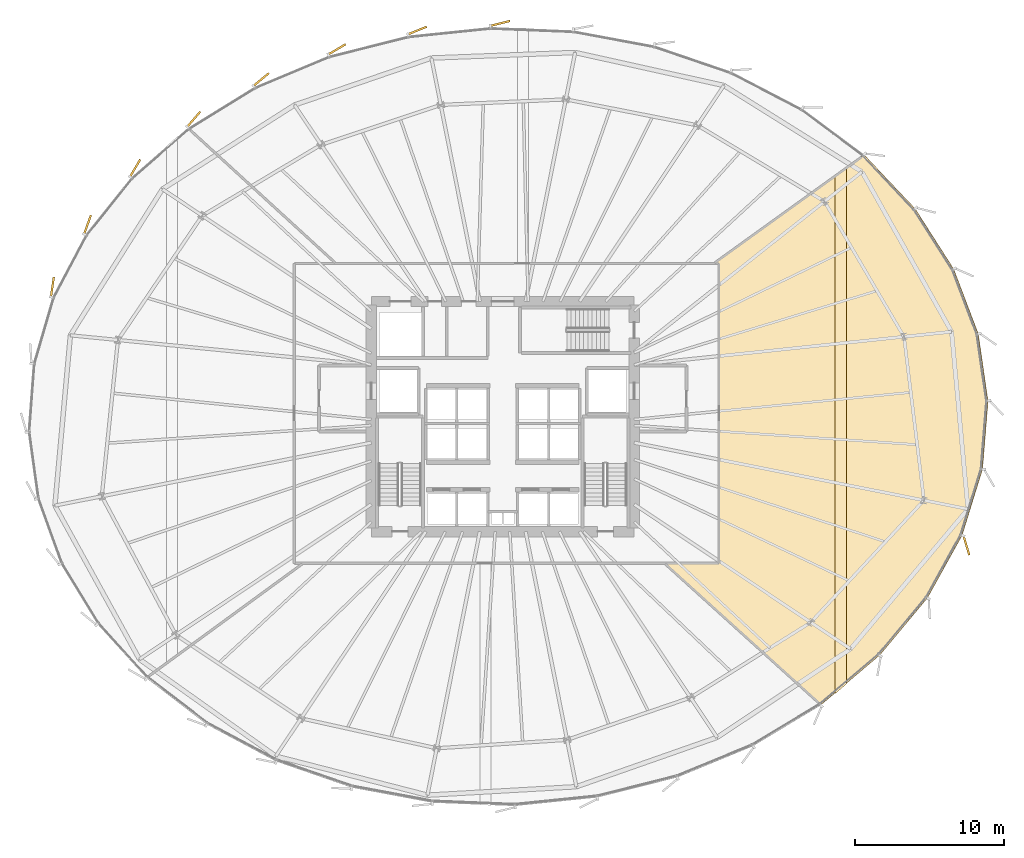
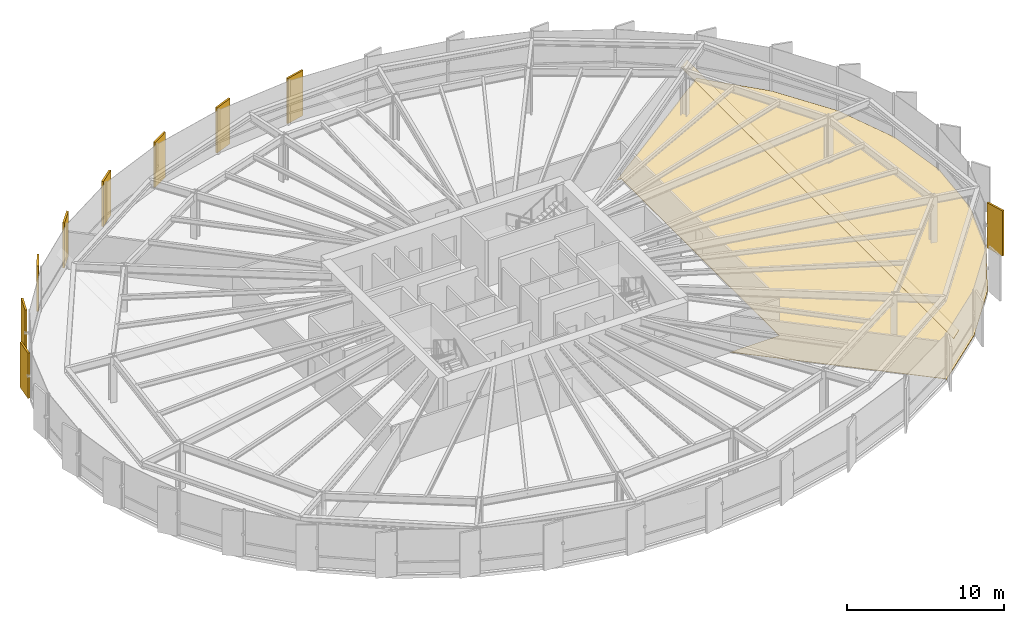
# One storey, part 40 of 42: 11 coverings.
"""IFC4 building model written with IfcOpenShell, lengths in metres."""

from ifc_helpers import new_model, si_unit, direction, frame, origin, origin_2d, place, context, subcontext, project, spatial, polyline, rectangle, outline, extrude, source, transform, mapped, material, layer, layer_set, type_object, element, save


model = new_model("IFC4")

# Units and contexts
model_context = context("Model", 3, precision=1e-05, world=origin(), true_north=direction((0.0, 1.0)))
body_context = subcontext(model_context, "Body", "Model", "MODEL_VIEW")
ifc_project = project(units=[si_unit("LENGTHUNIT", "METRE"), si_unit("AREAUNIT", "SQUARE_METRE"), si_unit("VOLUMEUNIT", "CUBIC_METRE"), si_unit("PLANEANGLEUNIT", "RADIAN"), si_unit("MASSUNIT", "GRAM", prefix="KILO"), si_unit("THERMODYNAMICTEMPERATUREUNIT", "KELVIN")], contexts=[model_context])

# Site, building, storey
site_placement = place(None, origin())
site = spatial("IfcSite", under=ifc_project, at=site_placement, CompositionType="ELEMENT")
building_placement = place(site_placement, origin())
building = spatial("IfcBuilding", under=site, at=building_placement, Name="Kethvar Cultural Tower", CompositionType="ELEMENT")
storey_placement = place(building_placement, frame((0.0, 0.0, 37.199951171875)))
storey = spatial("IfcBuildingStorey", under=building, at=storey_placement, Name="L08", CompositionType="ELEMENT", Elevation=37.199951171875)

# Coverings
ifc_material_1 = material(Name="Acoustic Mineral Fibre Ceiling")
ifc_layer_1 = layer(ifc_material_1, 0.0400390625, Name="Acoustic Mineral Fibre Ceiling")
ifc_layer_set_1 = layer_set([ifc_layer_1], Name="Acoustic Mineral Fibre Ceiling (40 mm)")
covering_type_1 = type_object("IfcCoveringType", Name="CV-ACOUSTIC-CEIL", PredefinedType="CEILING", material=ifc_layer_set_1)
covering_1_placement = place(storey_placement, frame((0.0, 0.0, 2.340087890625)))
element("IfcCovering", 1, at=covering_1_placement, inside=storey, type_object=covering_type_1, Name="L08 Room 02 Acoustic Ceiling Panel", PredefinedType="CEILING", context=body_context, shape_type="SweptSolid", body=[
    extrude(outline(polyline([(69.047607421875, 9.254638671875), (69.047607421875, 43.948486328125), (69.797607421875, 44.491943359375), (69.797607421875, 9.889404296875), (69.047607421875, 9.254638671875)])), origin(), (0.0, 0.0, 1.0), 0.0400390625),
])
ifc_material_2 = material(Name="Architectural Oak Timber", Category="wood")
ifc_layer_2 = layer(ifc_material_2, 0.02490234375, Name="Architectural Oak Timber", Category="wood")
ifc_layer_set_2 = layer_set([ifc_layer_2], Name="Architectural Oak Timber (25 mm)")
covering_type_2 = type_object("IfcCoveringType", Name="CV-OAK-FLOOR", PredefinedType="FLOORING", material=ifc_layer_set_2)
covering_2_placement = place(storey_placement, origin())
element("IfcCovering", 2, at=covering_2_placement, inside=storey, type_object=covering_type_2, Name="L08 Room 02 Floor Finish", PredefinedType="FLOORING", context=body_context, shape_type="SweptSolid", body=[
    extrude(outline(polyline([(77.543701171875, 19.849609375), (75.2216796875, 15.657470703125), (72.03271484375, 11.833740234375), (68.10107421875, 8.505859375), (57.677978515625, 17.9599609375), (61.28955078125, 17.97607421875), (61.2900390625, 38.0400390625), (60.990966796875, 38.06005859375), (70.9912109375, 45.3076171875), (74.4033203125, 41.703125), (76.98388671875, 37.665283203125), (78.62939453125, 33.327392578125), (79.280517578125, 28.82080078125), (78.91357421875, 24.2822265625), (77.543701171875, 19.849609375)])), origin(), (0.0, 0.0, 1.0), 0.025146484375),
])
ifc_material_3 = material(Name="Extruded Architectural Terracotta", Category="masonry")
ifc_layer_3 = layer(ifc_material_3, 0.135009765625, Name="Extruded Architectural Terracotta", Category="masonry")
ifc_layer_set_3 = layer_set([ifc_layer_3], Name="Extruded Architectural Terracotta (135 mm)")
covering_type_3 = type_object("IfcCoveringType", Name="Terracotta Facade Fin FIN-01", PredefinedType="CLADDING", material=ifc_layer_set_3)
shared_shape = source(origin(), body_context, "Body", "SweptSolid", [
    extrude(rectangle(XDim=1.35009765625, YDim=0.135009765625, at=origin_2d()), origin(), (0.0, 0.0, 1.0), 3.510009765625),
])
for number, where, z_axis, x_axis, name in (
    (3, (46.627685546875, 54.111328125, 0.02001953125), (0.0, 0.0, 1.0), (0.970674539091, 0.240397460805, 0.0), "L08 Vertical Terracotta Fin 2.4"),
    (4, (41.076416015625, 53.632568359375, 0.02001953125), (0.0, 0.0, 1.0), (0.925936516366, 0.377679186163, 0.0), "L08 Vertical Terracotta Fin 2.5"),
    (5, (35.702880859375, 52.374267578125, 0.02001953125), (0.0, 0.0, 1.0), (0.859674006117, 0.510843031866, 0.0), "L08 Vertical Terracotta Fin 2.6"),
    (6, (30.631591796875, 50.35400390625, 0.02001953125), (0.0, 0.0, 1.0), (0.769845311576, 0.638230519675, 0.0), "L08 Vertical Terracotta Fin 3.1"),
    (7, (26.1201171875, 47.69873046875, 0.02001953125), (0.0, 0.0, 1.0), (0.654212968936, 0.756310380251, 0.0), "L08 Vertical Terracotta Fin 3.2"),
    (8, (22.194580078125, 44.422119140625, 0.02001953125), (0.0, 0.0, 1.0), (0.510542917912, 0.859852271597, 0.0), "L08 Vertical Terracotta Fin 3.3"),
    (9, (19.00830078125, 40.6416015625, 0.02001953125), (0.0, 0.0, 1.0), (0.339230517808, 0.940703277228, 0.0), "L08 Vertical Terracotta Fin 3.4"),
    (10, (16.657470703125, 36.467529296875, 0.02001953125), (0.0, 0.0, 1.0), (0.144356201001, 0.989525789069, 0.0), "L08 Vertical Terracotta Fin 3.5"),
    (11, (77.832275390625, 19.17138671875, 0.02001953125), (0.0, 0.0, 1.0), (0.286691763629, -0.958022876902, 0.0), "L08 Vertical Terracotta Fin 6.5"),
):
    element("IfcCovering", number, at=place(storey_placement, frame(where, z_axis=z_axis, x_axis=x_axis)), inside=storey, type_object=covering_type_3, Name=name, PredefinedType="CLADDING", context=body_context, shape_type="MappedRepresentation", body=[
        mapped(shared_shape, transform((0.0, 0.0, 0.0), scale=1.0)),
    ])

save(model, "model.ifc")
